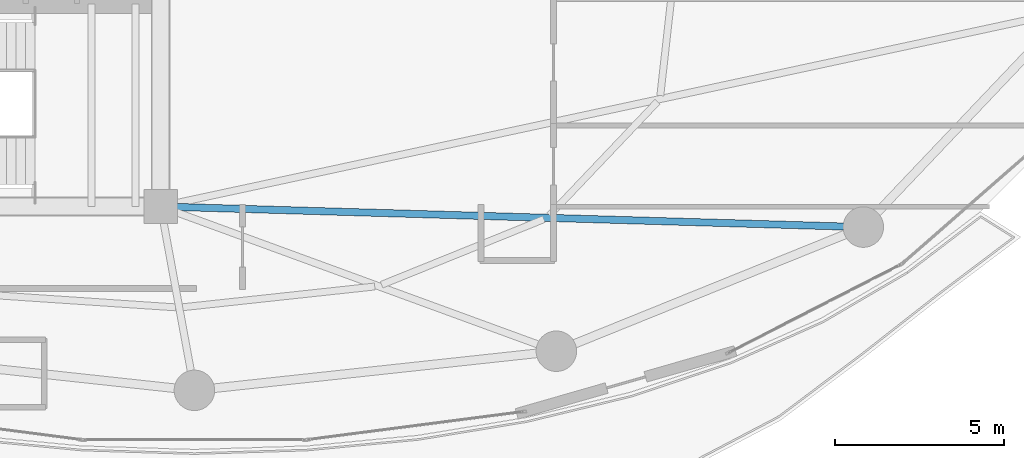
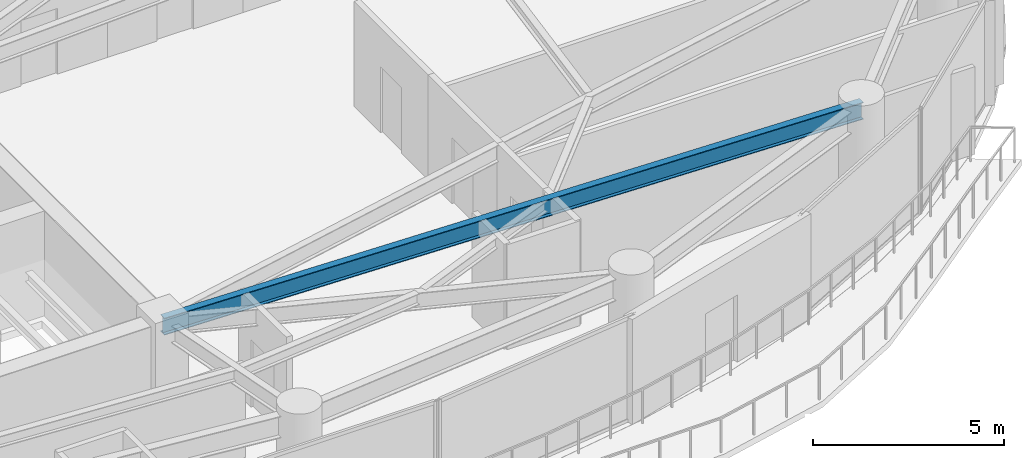
# One storey, part 10 of 28: 1 beam.
"""IFC4 building model written with IfcOpenShell, lengths in metres."""

from ifc_helpers import new_model, si_unit, direction, frame, origin, origin_2d, place, context, subcontext, project, spatial, i_section, extrude, material, material_profile, profile_set, type_object, element, save


model = new_model("IFC4")

# Units and contexts
model_context = context("Model", 3, precision=1e-05, world=origin(), true_north=direction((0.0, 1.0)))
body_context = subcontext(model_context, "Body", "Model", "MODEL_VIEW")
ifc_project = project(units=[si_unit("LENGTHUNIT", "METRE"), si_unit("AREAUNIT", "SQUARE_METRE"), si_unit("VOLUMEUNIT", "CUBIC_METRE"), si_unit("PLANEANGLEUNIT", "RADIAN"), si_unit("MASSUNIT", "GRAM", prefix="KILO")], contexts=[model_context])

# Site, building, storey
site_placement = place(None, origin())
site = spatial("IfcSite", under=ifc_project, at=site_placement, CompositionType="ELEMENT")
building_placement = place(site_placement, origin())
building = spatial("IfcBuilding", under=site, at=building_placement, Name="Kazevale Care Tower and Concert Hall", CompositionType="ELEMENT")
storey_placement = place(building_placement, frame((0.0, 0.0, 138.60009765625)))
storey = spatial("IfcBuildingStorey", under=building, at=storey_placement, Name="L36", CompositionType="ELEMENT", Elevation=138.60009765625)

# Beam
ifc_material = material(Name="Steel ASTM A572 Gr 50", Category="steel")
ifc_material_profile = material_profile(ifc_material, i_section(OverallWidth=0.2119140625, OverallDepth=0.5439453125, WebThickness=0.01318359375, FlangeThickness=0.021240234375, at=origin_2d()), Name="W530x123")
ifc_profile_set = profile_set([ifc_material_profile], Name="Steel ASTM A572 Gr 50")
beam_type = type_object("IfcBeamType", Name="Radial Floor Girder W530x123", PredefinedType="BEAM", material=ifc_profile_set)
beam_placement = place(storey_placement, frame((44.0, 23.60009765625, 3.087890625), z_axis=(0.99957133157, -0.029277177187, 0.0), x_axis=(0.029277177187, 0.99957133157, 0.0)))
element("IfcBeam", 1, at=beam_placement, inside=storey, type_object=beam_type, Name="beam:L36:rad:15", PredefinedType="BEAM", context=body_context, shape_type="SweptSolid", body=[
    extrude(i_section(OverallWidth=0.2119140625, OverallDepth=0.5439453125, WebThickness=0.01318359375, FlangeThickness=0.021240234375, at=origin_2d()), origin(), (0.0, 0.0, 1.0), 20.839111328125),
])

save(model, "model.ifc")
